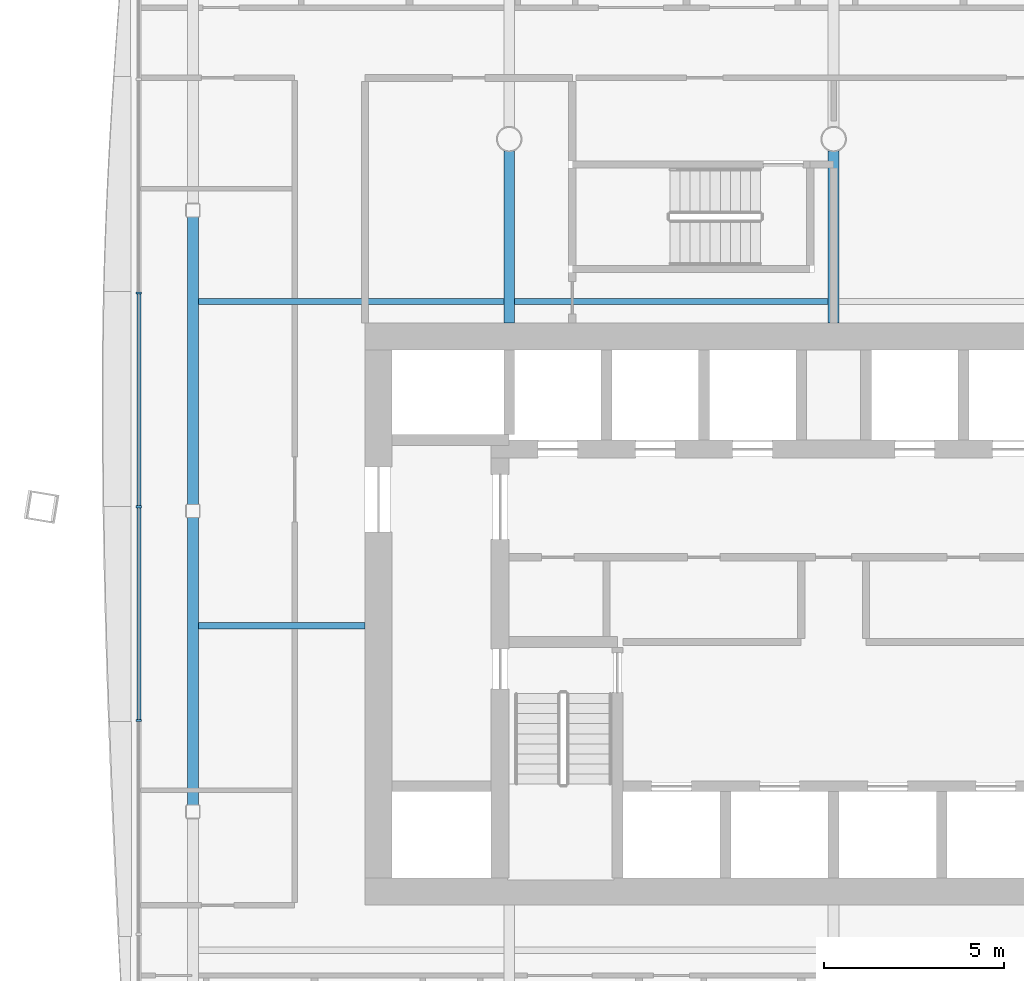
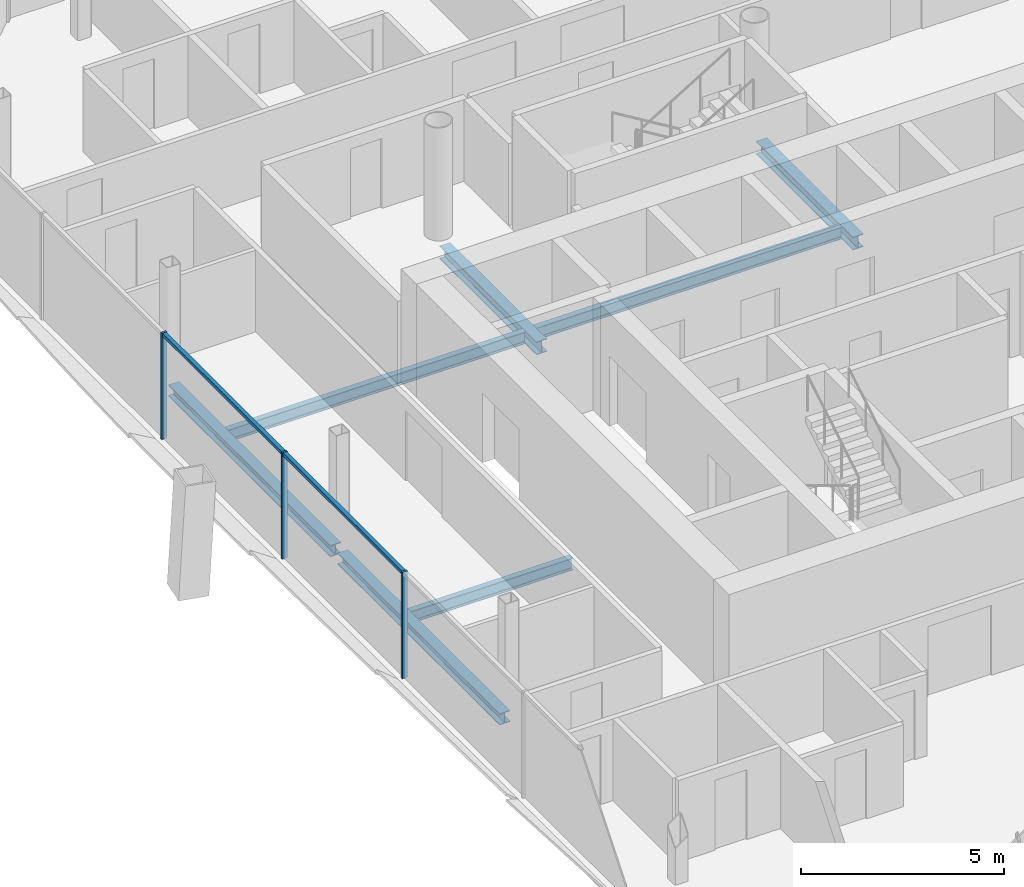
# One storey, part 6 of 21: 7 beams, 5 members, 1 element without a shape of its own.
"""IFC4 building model written with IfcOpenShell, lengths in metres."""

from ifc_helpers import new_model, si_unit, direction, frame, origin, origin_2d, place, context, subcontext, project, spatial, rectangle, i_section, extrude, material, material_profile, profile_set, type_object, element, aggregate, save


model = new_model("IFC4")

# Units and contexts
model_context = context("Model", 3, precision=1e-05, world=origin(), true_north=direction((0.0, 1.0)))
body_context = subcontext(model_context, "Body", "Model", "MODEL_VIEW")
ifc_project = project(units=[si_unit("LENGTHUNIT", "METRE"), si_unit("AREAUNIT", "SQUARE_METRE"), si_unit("VOLUMEUNIT", "CUBIC_METRE"), si_unit("PLANEANGLEUNIT", "RADIAN"), si_unit("MASSUNIT", "GRAM", prefix="KILO")], contexts=[model_context])

# Site, building, storey
site_placement = place(None, origin())
site = spatial("IfcSite", under=ifc_project, at=site_placement, CompositionType="ELEMENT")
building_placement = place(site_placement, origin())
building = spatial("IfcBuilding", under=site, at=building_placement, Name="Tskaro Facet Tower", CompositionType="ELEMENT")
storey_placement = place(building_placement, frame((0.0, 0.0, 148.699951171875)))
storey = spatial("IfcBuildingStorey", under=building, at=storey_placement, Name="L36", CompositionType="ELEMENT", Elevation=148.699951171875)

# Curtain wall, members
ifc_material_1 = material(Name="Bronze anodised aluminium 6063-T6", Category="aluminium")
curtain_wall_type = type_object("IfcCurtainWallType", Name="Bronze hotel curtain wall (FW2)", PredefinedType="NOTDEFINED", material=ifc_material_1)
curtain_wall_placement = place(storey_placement, origin())
curtain_wall = element("IfcCurtainWall", 1, at=curtain_wall_placement, inside=storey, type_object=curtain_wall_type, Name="FW2 west facet L36", PredefinedType="NOTDEFINED")
ifc_material_profile_1 = material_profile(ifc_material_1, rectangle(XDim=0.06005859375, YDim=0.14990234375, at=origin_2d()), Name="Mullion 60x150")
ifc_profile_set_1 = profile_set([ifc_material_profile_1], Name="Bronze anodised aluminium 6063-T6")
member_type_1 = type_object("IfcMemberType", Name="FW2 bronze mullion 60x150", PredefinedType="MULLION", material=ifc_profile_set_1)
member_1_placement = place(storey_placement, frame((-19.27197265625, 4.733642578125, 0.0), z_axis=(0.0, 0.0, 1.0), x_axis=(0.0, -1.0, 0.0)))
member_1 = element("IfcMember", 2, at=member_1_placement, type_object=member_type_1, Name="FW2 west mullion 2", PredefinedType="MULLION", context=body_context, shape_type="SweptSolid", body=[
    extrude(rectangle(XDim=0.06005859375, YDim=0.14990234375, at=origin_2d()), origin(), (0.0, 0.0, 1.0), 3.199951171875),
])
member_2_placement = place(storey_placement, frame((-19.27197265625, -1.195556640625, 0.0), z_axis=(0.0, 0.0, 1.0), x_axis=(0.0, -1.0, 0.0)))
member_2 = element("IfcMember", 3, at=member_2_placement, type_object=member_type_1, Name="FW2 west mullion 3", PredefinedType="MULLION", context=body_context, shape_type="SweptSolid", body=[
    extrude(rectangle(XDim=0.06005859375, YDim=0.14990234375, at=origin_2d()), origin(), (0.0, 0.0, 1.0), 3.199951171875),
])
member_3_placement = place(storey_placement, frame((-19.27197265625, -7.124755859375, 0.0), z_axis=(0.0, 0.0, 1.0), x_axis=(0.0, -1.0, 0.0)))
member_3 = element("IfcMember", 4, at=member_3_placement, type_object=member_type_1, Name="FW2 west mullion 4", PredefinedType="MULLION", context=body_context, shape_type="SweptSolid", body=[
    extrude(rectangle(XDim=0.06005859375, YDim=0.14990234375, at=origin_2d()), origin(), (0.0, 0.0, 1.0), 3.199951171875),
])
ifc_material_profile_2 = material_profile(ifc_material_1, rectangle(XDim=0.110107421875, YDim=0.10009765625, at=origin_2d()), Name="Transom 110x100")
ifc_profile_set_2 = profile_set([ifc_material_profile_2], Name="Bronze anodised aluminium 6063-T6")
member_type_2 = type_object("IfcMemberType", Name="FW2 bronze transom 110x100", PredefinedType="USERDEFINED", material=ifc_profile_set_2)
member_4_placement = place(storey_placement, frame((-19.27197265625, 4.70361328125, 3.150146484375), z_axis=(0.0, -1.0, 0.0), x_axis=(1.0, 0.0, 0.0)))
member_4 = element("IfcMember", 5, at=member_4_placement, type_object=member_type_2, Name="FW2 west transom 3.1", ObjectType="TRANSOM", PredefinedType="USERDEFINED", context=body_context, shape_type="SweptSolid", body=[
    extrude(rectangle(XDim=0.110107421875, YDim=0.10009765625, at=origin_2d()), origin(), (0.0, 0.0, 1.0), 5.869140625),
])
member_5_placement = place(storey_placement, frame((-19.27197265625, -1.2255859375, 3.150146484375), z_axis=(0.0, -1.0, 0.0), x_axis=(1.0, 0.0, 0.0)))
member_5 = element("IfcMember", 6, at=member_5_placement, type_object=member_type_2, Name="FW2 west transom 4.1", ObjectType="TRANSOM", PredefinedType="USERDEFINED", context=body_context, shape_type="SweptSolid", body=[
    extrude(rectangle(XDim=0.110107421875, YDim=0.10009765625, at=origin_2d()), origin(), (0.0, 0.0, 1.0), 5.869140625),
])
aggregate(curtain_wall, [member_1, member_2, member_3, member_4, member_5])

# Beams
ifc_material_2 = material(Name="Steel S355J2", Category="steel")
ifc_material_profile_3 = material_profile(ifc_material_2, i_section(OverallWidth=0.300048828125, OverallDepth=0.340087890625, WebThickness=0.011962890625, FlangeThickness=0.021484375, FilletRadius=0.027099609375, at=origin_2d()), Name="HE 340 B")
ifc_profile_set_3 = profile_set([ifc_material_profile_3], Name="Steel S355J2")
beam_type_1 = type_object("IfcBeamType", Name="HE 340 B ring beam", PredefinedType="BEAM", material=ifc_profile_set_3)
beam_1_placement = place(storey_placement, frame((-17.77392578125, 6.845947265625, -0.31005859375), z_axis=(0.0, -1.0, 0.0), x_axis=(1.0, 0.0, 0.0)))
element("IfcBeam", 7, at=beam_1_placement, inside=storey, type_object=beam_type_1, Name="HE 340 B EB17-3", PredefinedType="BEAM", context=body_context, shape_type="SweptSolid", body=[
    extrude(i_section(OverallWidth=0.300048828125, OverallDepth=0.340087890625, WebThickness=0.011962890625, FlangeThickness=0.021484375, FilletRadius=0.027099609375, at=origin_2d()), origin(), (0.0, 0.0, 1.0), 7.98095703125),
])
beam_2_placement = place(storey_placement, frame((-17.77392578125, -1.4951171875, -0.31005859375), z_axis=(0.0, -1.0, 0.0), x_axis=(1.0, 0.0, 0.0)))
element("IfcBeam", 8, at=beam_2_placement, inside=storey, type_object=beam_type_1, Name="HE 340 B EB18-3", PredefinedType="BEAM", context=body_context, shape_type="SweptSolid", body=[
    extrude(i_section(OverallWidth=0.300048828125, OverallDepth=0.340087890625, WebThickness=0.011962890625, FlangeThickness=0.021484375, FilletRadius=0.027099609375, at=origin_2d()), origin(), (0.0, 0.0, 1.0), 7.98193359375),
])
ifc_material_profile_4 = material_profile(ifc_material_2, i_section(OverallWidth=0.300048828125, OverallDepth=0.389892578125, WebThickness=0.010986328125, FlangeThickness=0.01904296875, FilletRadius=0.027099609375, at=origin_2d()), Name="HE 400 A")
ifc_profile_set_4 = profile_set([ifc_material_profile_4], Name="Steel S355J2")
beam_type_2 = type_object("IfcBeamType", Name="HE 400 A girder", PredefinedType="BEAM", material=ifc_profile_set_4)
for number, where, z_axis, x_axis, name in (
    (9, (-9.0, 3.89990234375, -0.3349609375), (0.0, 1.0, 0.0), (-1.0, 0.0, 0.0), "HE 400 A GB3-2-3"),
    (10, (0.0, 3.89990234375, -0.3349609375), (0.0, 1.0, 0.0), (-1.0, 0.0, 0.0), "HE 400 A GB4-2-3"),
):
    element("IfcBeam", number, at=place(storey_placement, frame(where, z_axis=z_axis, x_axis=x_axis)), inside=storey, type_object=beam_type_2, Name=name, PredefinedType="BEAM", context=body_context, shape_type="SweptSolid", body=[
        extrude(i_section(OverallWidth=0.300048828125, OverallDepth=0.389892578125, WebThickness=0.010986328125, FlangeThickness=0.01904296875, FilletRadius=0.027099609375, at=origin_2d()), origin(), (0.0, 0.0, 1.0), 4.774658203125),
    ])
ifc_material_profile_5 = material_profile(ifc_material_2, i_section(OverallWidth=0.169921875, OverallDepth=0.360107421875, WebThickness=0.008056640625, FlangeThickness=0.0126953125, FilletRadius=0.01806640625, at=origin_2d()), Name="IPE 360")
ifc_profile_set_5 = profile_set([ifc_material_profile_5], Name="Steel S355J2")
beam_type_3 = type_object("IfcBeamType", Name="IPE 360 secondary beam", PredefinedType="BEAM", material=ifc_profile_set_5)
beam_3_placement = place(storey_placement, frame((-17.6240234375, -4.5, -0.320068359375), z_axis=(1.0, 0.0, 0.0), x_axis=(0.0, 1.0, 0.0)))
element("IfcBeam", 11, at=beam_3_placement, inside=storey, type_object=beam_type_3, Name="IPE 360 SB3a-1-3", PredefinedType="BEAM", context=body_context, shape_type="SweptSolid", body=[
    extrude(i_section(OverallWidth=0.169921875, OverallDepth=0.360107421875, WebThickness=0.008056640625, FlangeThickness=0.0126953125, FilletRadius=0.01806640625, at=origin_2d()), origin(), (0.0, 0.0, 1.0), 4.6240234375),
])
beam_4_placement = place(storey_placement, frame((-17.6240234375, 4.5, -0.320068359375), z_axis=(1.0, 0.0, 0.0), x_axis=(0.0, 1.0, 0.0)))
element("IfcBeam", 12, at=beam_4_placement, inside=storey, type_object=beam_type_3, Name="IPE 360 SB4a-1-3", PredefinedType="BEAM", context=body_context, shape_type="SweptSolid", body=[
    extrude(i_section(OverallWidth=0.169921875, OverallDepth=0.360107421875, WebThickness=0.008056640625, FlangeThickness=0.0126953125, FilletRadius=0.01806640625, at=origin_2d()), origin(), (0.0, 0.0, 1.0), 8.47412109375),
])
beam_5_placement = place(storey_placement, frame((-8.85009765625, 4.5, -0.320068359375), z_axis=(1.0, 0.0, 0.0), x_axis=(0.0, 1.0, 0.0)))
element("IfcBeam", 13, at=beam_5_placement, inside=storey, type_object=beam_type_3, Name="IPE 360 SB4a-2-3", PredefinedType="BEAM", context=body_context, shape_type="SweptSolid", body=[
    extrude(i_section(OverallWidth=0.169921875, OverallDepth=0.360107421875, WebThickness=0.008056640625, FlangeThickness=0.0126953125, FilletRadius=0.01806640625, at=origin_2d()), origin(), (0.0, 0.0, 1.0), 8.7001953125),
])

save(model, "model.ifc")
